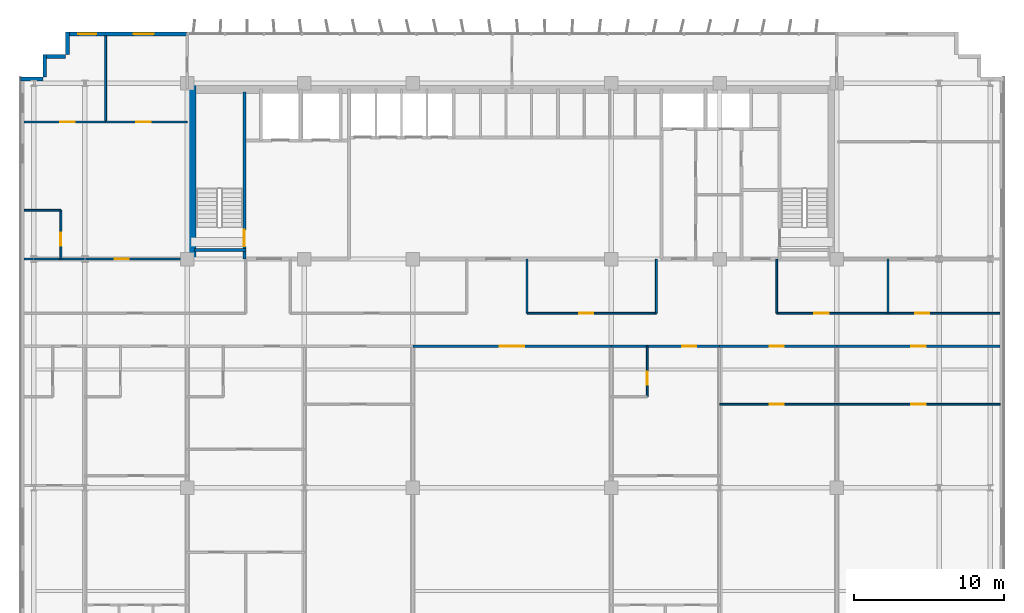
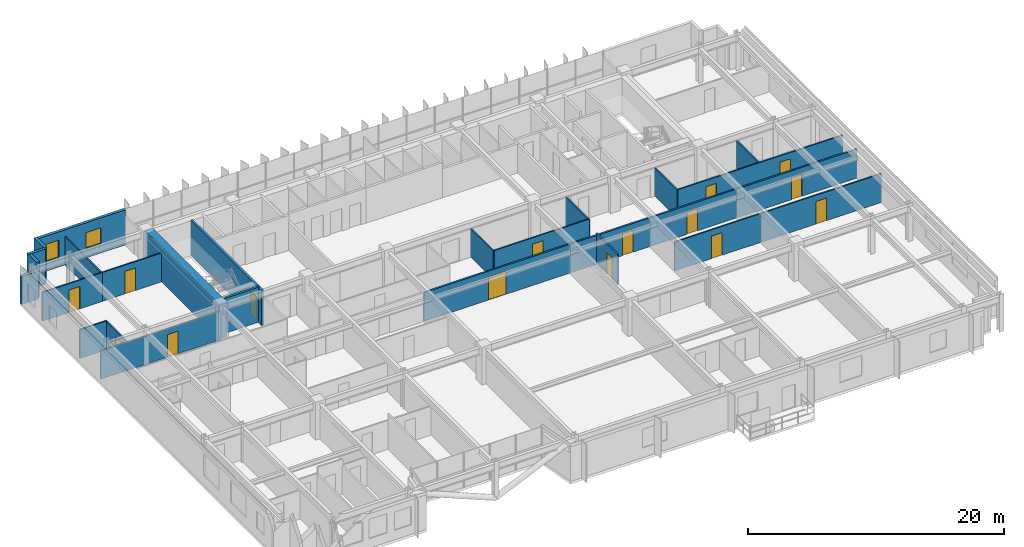
# One storey, part 20 of 25: 27 walls, 15 doors, 2 windows, 17 openings.
"""IFC4 building model written with IfcOpenShell, lengths in metres."""

from ifc_helpers import new_model, si_unit, direction, frame, frame_2d, origin, place, context, subcontext, project, spatial, rectangle, extrude, source, transform, mapped, material, layer, layer_set, type_object, element, fill, save


model = new_model("IFC4")

# Units and contexts
model_context = context("Model", 3, precision=1e-05, world=origin(), true_north=direction((0.0, 1.0)))
body_context = subcontext(model_context, "Body", "Model", "MODEL_VIEW")
ifc_project = project(units=[si_unit("LENGTHUNIT", "METRE"), si_unit("AREAUNIT", "SQUARE_METRE"), si_unit("VOLUMEUNIT", "CUBIC_METRE"), si_unit("PLANEANGLEUNIT", "RADIAN"), si_unit("MASSUNIT", "GRAM", prefix="KILO")], contexts=[model_context])

# Site, building, storey
site_placement = place(None, origin())
site = spatial("IfcSite", under=ifc_project, at=site_placement, CompositionType="ELEMENT")
building_placement = place(site_placement, origin())
building = spatial("IfcBuilding", under=site, at=building_placement, Name="Trelvane Seafront Commons", CompositionType="ELEMENT")
storey_placement = place(building_placement, frame((0.0, 0.0, 66.699951171875)))
storey = spatial("IfcBuildingStorey", under=building, at=storey_placement, Name="L17", CompositionType="ELEMENT", Elevation=66.699951171875)

# Wall, openings, windows
ifc_material_1 = material(Name="Precast concrete C40/50", Category="concrete")
ifc_layer_1 = layer(ifc_material_1, 0.260009765625, Name="ARCH-WALL-EXT260")
ifc_layer_set_1 = layer_set([ifc_layer_1], Name="Precast concrete C40/50")
wall_type_1 = type_object("IfcWallType", Name="ARCH-WALL-EXT260", PredefinedType="SOLIDWALL", material=ifc_layer_set_1)
wall_1_placement = place(storey_placement, frame((7.60009765625, 48.3701171875, 0.0), z_axis=(0.0, 0.0, 1.0), x_axis=(1.0, 0.0, 0.0)))
wall_1 = element("IfcWall", 1, at=wall_1_placement, inside=storey, type_object=wall_type_1, Name="EW-L17-NW-0301", PredefinedType="SOLIDWALL", context=body_context, shape_type="SweptSolid", body=[
    extrude(rectangle(XDim=8.0, YDim=0.260009765625, at=frame_2d((4.0, 0.0))), origin(), (0.0, 0.0, 1.0), 3.340087890625),
])
opening_1_placement = place(wall_1_placement, frame((0.76806640625, 0.0, 0.89990234375)))
opening_1 = element("IfcOpeningElement", 2, at=opening_1_placement, cuts=wall_1, Name="Opening W05", PredefinedType="OPENING", context=body_context, shape_type="SweptSolid", body=[
    extrude(rectangle(XDim=1.199951171875, YDim=1.64990234375, at=frame_2d((0.60009765625, 0.824951171875))), frame((0.0, 0.139892578125, 0.0), z_axis=(0.0, -1.0, 0.0), x_axis=(1.0, 0.0, 0.0)), (0.0, 0.0, 1.0), 0.280029296875),
])
opening_2_placement = place(wall_1_placement, frame((4.44091796875, 0.0, 0.89990234375)))
opening_2 = element("IfcOpeningElement", 3, at=opening_2_placement, cuts=wall_1, Name="Opening W09", PredefinedType="OPENING", context=body_context, shape_type="SweptSolid", body=[
    extrude(rectangle(XDim=1.35009765625, YDim=1.5, at=frame_2d((0.675048828125, 0.75))), frame((0.0, 0.139892578125, 0.0), z_axis=(0.0, -1.0, 0.0), x_axis=(1.0, 0.0, 0.0)), (0.0, 0.0, 1.0), 0.280029296875),
])
ifc_material_2 = material(Name="Low-E coastal double glazing", Category="glass")
window_type_1 = type_object("IfcWindowType", Name="ARCH-WIN-W09", PartitioningType="SINGLE_PANEL", PredefinedType="WINDOW", material=ifc_material_2)
shared_shape_1 = source(origin(), body_context, "Body", "SweptSolid", [
    extrude(rectangle(XDim=1.35009765625, YDim=1.5, at=frame_2d((0.675048828125, 0.75))), frame((0.0, 0.030029296875, 0.0), z_axis=(0.0, -1.0, 0.0), x_axis=(1.0, 0.0, 0.0)), (0.0, 0.0, 1.0), 0.06005859375),
])
window_1_placement = place(opening_2_placement, origin())
window_1 = element("IfcWindow", 4, at=window_1_placement, inside=storey, type_object=window_type_1, Name="WIN-L17-00356", OverallHeight=1.5, OverallWidth=1.35009765625, PartitioningType="SINGLE_PANEL", PredefinedType="WINDOW", context=body_context, shape_type="MappedRepresentation", body=[
    mapped(shared_shape_1, transform((0.0, 0.0, 0.0), x_axis=(1.0, 0.0, 0.0), y_axis=(0.0, 1.0, 0.0), z_axis=(0.0, 0.0, 1.0), scale=1.0)),
])
fill(opening_2, window_1)
window_type_2 = type_object("IfcWindowType", Name="ARCH-WIN-W05", PartitioningType="SINGLE_PANEL", PredefinedType="WINDOW", material=ifc_material_2)
shared_shape_2 = source(origin(), body_context, "Body", "SweptSolid", [
    extrude(rectangle(XDim=1.199951171875, YDim=1.64990234375, at=frame_2d((0.60009765625, 0.824951171875))), frame((0.0, 0.030029296875, 0.0), z_axis=(0.0, -1.0, 0.0), x_axis=(1.0, 0.0, 0.0)), (0.0, 0.0, 1.0), 0.06005859375),
])
window_2_placement = place(opening_1_placement, origin())
window_2 = element("IfcWindow", 5, at=window_2_placement, inside=storey, type_object=window_type_2, Name="WIN-L17-00355", OverallHeight=1.64990234375, OverallWidth=1.199951171875, PartitioningType="SINGLE_PANEL", PredefinedType="WINDOW", context=body_context, shape_type="MappedRepresentation", body=[
    mapped(shared_shape_2, transform((0.0, 0.0, 0.0), x_axis=(1.0, 0.0, 0.0), y_axis=(0.0, 1.0, 0.0), z_axis=(0.0, 0.0, 1.0), scale=1.0)),
])
fill(opening_1, window_2)

# Walls
wall_2_placement = place(storey_placement, frame((4.5, 45.3701171875, 0.0), z_axis=(0.0, 0.0, 1.0), x_axis=(1.0, 0.0, 0.0)))
element("IfcWall", 6, at=wall_2_placement, inside=storey, type_object=wall_type_1, Name="EW-L17-00307", PredefinedType="SOLIDWALL", context=body_context, shape_type="SweptSolid", body=[
    extrude(rectangle(XDim=1.5, YDim=0.260009765625, at=frame_2d((0.75, 0.0))), origin(), (0.0, 0.0, 1.0), 2.68994140625),
])
for number, where, z_axis, x_axis, name in (
    (7, (6.1298828125, 45.5, 0.0), (0.0, 0.0, 1.0), (0.0, 1.0, 0.0), "EW-L17-00308"),
    (8, (6.0, 46.8701171875, 0.0), (0.0, 0.0, 1.0), (1.0, 0.0, 0.0), "EW-L17-00309"),
    (9, (7.6298828125, 47.0, 0.0), (0.0, 0.0, 1.0), (0.0, 1.0, 0.0), "EW-L17-00310"),
):
    element("IfcWall", number, at=place(storey_placement, frame(where, z_axis=z_axis, x_axis=x_axis)), inside=storey, type_object=wall_type_1, Name=name, PredefinedType="SOLIDWALL", context=body_context, shape_type="SweptSolid", body=[
        extrude(rectangle(XDim=1.5, YDim=0.260009765625, at=frame_2d((0.75, 0.0))), origin(), (0.0, 0.0, 1.0), 3.340087890625),
    ])

# Wall, opening, door
ifc_material_3 = material(Name="Gypsum Drywall Acoustic Partition")
ifc_layer_2 = layer(ifc_material_3, 0.1201171875, Name="ARCH-WALL-PART120")
ifc_layer_set_2 = layer_set([ifc_layer_2], Name="Gypsum Drywall Acoustic Partition")
wall_type_2 = type_object("IfcWallType", Name="ARCH-WALL-PART120", PredefinedType="PARTITIONING", material=ifc_layer_set_2)
wall_3_placement = place(storey_placement, frame((38.199951171875, 29.800048828125, 0.0), z_axis=(0.0, 0.0, 1.0), x_axis=(1.0, 0.0, 0.0)))
wall_3 = element("IfcWall", 10, at=wall_3_placement, inside=storey, type_object=wall_type_2, Name="W-L17-CORR-N-M2-040", PredefinedType="PARTITIONING", context=body_context, shape_type="SweptSolid", body=[
    extrude(rectangle(XDim=8.60009765625, YDim=0.1201171875, at=frame_2d((4.300048828125, 0.0))), origin(), (0.0, 0.0, 1.0), 2.751953125),
])
opening_3_placement = place(wall_3_placement, frame((3.4619140625, 0.0, 0.0)))
opening_3 = element("IfcOpeningElement", 11, at=opening_3_placement, cuts=wall_3, Name="Opening D-L17-20", PredefinedType="OPENING", context=body_context, shape_type="SweptSolid", body=[
    extrude(rectangle(XDim=0.949951171875, YDim=2.14990234375, at=frame_2d((0.47509765625, 1.074951171875))), frame((0.0, 0.070068359375, 0.0), z_axis=(0.0, -1.0, 0.0), x_axis=(1.0, 0.0, 0.0)), (0.0, 0.0, 1.0), 0.14013671875),
])
ifc_material_4 = material(Name="Acoustic timber door leaf", Category="wood")
door_type_1 = type_object("IfcDoorType", Name="ARCH-DR-INT950", OperationType="NOTDEFINED", PredefinedType="DOOR", material=ifc_material_4)
shared_shape_3 = source(origin(), body_context, "Body", "SweptSolid", [
    extrude(rectangle(XDim=0.949951171875, YDim=2.14990234375, at=frame_2d((0.47509765625, 1.074951171875))), frame((0.0, 0.02490234375, 0.0), z_axis=(0.0, -1.0, 0.0), x_axis=(1.0, 0.0, 0.0)), (0.0, 0.0, 1.0), 0.050048828125),
])
door_1_placement = place(opening_3_placement, origin())
door_1 = element("IfcDoor", 12, at=door_1_placement, inside=storey, type_object=door_type_1, Name="L17 Door 20", OperationType="SINGLE_SWING_RIGHT", OverallHeight=2.14990234375, OverallWidth=0.949951171875, PredefinedType="DOOR", context=body_context, shape_type="MappedRepresentation", body=[
    mapped(shared_shape_3, transform((0.0, 0.0, 0.0), x_axis=(1.0, 0.0, 0.0), y_axis=(0.0, 1.0, 0.0), z_axis=(0.0, 0.0, 1.0), scale=1.0)),
])
fill(opening_3, door_1)

# Wall, openings, doors
wall_4_placement = place(storey_placement, frame((54.800048828125, 29.800048828125, 0.0), z_axis=(0.0, 0.0, 1.0), x_axis=(1.0, 0.0, 0.0)))
wall_4 = element("IfcWall", 13, at=wall_4_placement, inside=storey, type_object=wall_type_2, Name="W-L17-CORR-N-E-041", PredefinedType="PARTITIONING", context=body_context, shape_type="SweptSolid", body=[
    extrude(rectangle(XDim=14.849853515625, YDim=0.1201171875, at=frame_2d((7.4248046875, 0.0))), origin(), (0.0, 0.0, 1.0), 2.751953125),
])
opening_4_placement = place(wall_4_placement, frame((2.5, 0.0, 0.0)))
opening_4 = element("IfcOpeningElement", 14, at=opening_4_placement, cuts=wall_4, Name="Opening D-L17-21", PredefinedType="OPENING", context=body_context, shape_type="SweptSolid", body=[
    extrude(rectangle(XDim=0.949951171875, YDim=2.14990234375, at=frame_2d((0.47509765625, 1.074951171875))), frame((0.0, 0.070068359375, 0.0), z_axis=(0.0, -1.0, 0.0), x_axis=(1.0, 0.0, 0.0)), (0.0, 0.0, 1.0), 0.14013671875),
])
opening_5_placement = place(wall_4_placement, frame((9.199951171875, 0.0, 0.0)))
opening_5 = element("IfcOpeningElement", 15, at=opening_5_placement, cuts=wall_4, Name="Opening D-L17-22", PredefinedType="OPENING", context=body_context, shape_type="SweptSolid", body=[
    extrude(rectangle(XDim=0.949951171875, YDim=2.14990234375, at=frame_2d((0.47509765625, 1.074951171875))), frame((0.0, 0.070068359375, 0.0), z_axis=(0.0, -1.0, 0.0), x_axis=(1.0, 0.0, 0.0)), (0.0, 0.0, 1.0), 0.14013671875),
])
door_2_placement = place(opening_4_placement, origin())
door_2 = element("IfcDoor", 16, at=door_2_placement, inside=storey, type_object=door_type_1, Name="L17 Door 21", OperationType="SINGLE_SWING_LEFT", OverallHeight=2.14990234375, OverallWidth=0.949951171875, PredefinedType="DOOR", context=body_context, shape_type="MappedRepresentation", body=[
    mapped(shared_shape_3, transform((0.0, 0.0, 0.0), x_axis=(1.0, 0.0, 0.0), y_axis=(0.0, 1.0, 0.0), z_axis=(0.0, 0.0, 1.0), scale=1.0)),
])
fill(opening_4, door_2)
door_3_placement = place(opening_5_placement, origin())
door_3 = element("IfcDoor", 17, at=door_3_placement, inside=storey, type_object=door_type_1, Name="L17 Door 22", OperationType="SINGLE_SWING_RIGHT", OverallHeight=2.14990234375, OverallWidth=0.949951171875, PredefinedType="DOOR", context=body_context, shape_type="MappedRepresentation", body=[
    mapped(shared_shape_3, transform((0.0, 0.0, 0.0), x_axis=(1.0, 0.0, 0.0), y_axis=(0.0, 1.0, 0.0), z_axis=(0.0, 0.0, 1.0), scale=1.0)),
])
fill(opening_5, door_3)

# Walls
for number, where, z_axis, x_axis, name in (
    (18, (62.199951171875, 29.800048828125, 0.0), (0.0, 0.0, 1.0), (0.0, 1.0, 0.0), "W-L17-N-LAUN-DV-042"),
    (19, (38.199951171875, 29.800048828125, 0.0), (0.0, 0.0, 1.0), (0.0, 1.0, 0.0), "W-L17-N-SPUR-M2-046"),
    (20, (46.800048828125, 29.800048828125, 0.0), (0.0, 0.0, 1.0), (0.0, 1.0, 0.0), "W-L17-N-SPUR-E1-047"),
    (21, (54.800048828125, 29.800048828125, 0.0), (0.0, 0.0, 1.0), (0.0, 1.0, 0.0), "W-L17-N-SPUR-E2-048"),
):
    element("IfcWall", number, at=place(storey_placement, frame(where, z_axis=z_axis, x_axis=x_axis)), inside=storey, type_object=wall_type_2, Name=name, PredefinedType="PARTITIONING", context=body_context, shape_type="SweptSolid", body=[
        extrude(rectangle(XDim=3.599853515625, YDim=0.1201171875, at=frame_2d((1.7998046875, 0.0))), origin(), (0.0, 0.0, 1.0), 2.68994140625),
    ])

# Wall, opening, door
wall_5_placement = place(storey_placement, frame((7.199951171875, 33.39990234375, 0.0), z_axis=(0.0, 0.0, 1.0), x_axis=(0.0, 1.0, 0.0)))
wall_5 = element("IfcWall", 22, at=wall_5_placement, inside=storey, type_object=wall_type_2, Name="W-L17-NW-BE-049", PredefinedType="PARTITIONING", context=body_context, shape_type="SweptSolid", body=[
    extrude(rectangle(XDim=3.25, YDim=0.1201171875, at=frame_2d((1.625, 0.0))), origin(), (0.0, 0.0, 1.0), 2.68994140625),
])
opening_6_placement = place(wall_5_placement, frame((0.89990234375, 0.0, 0.0)))
opening_6 = element("IfcOpeningElement", 23, at=opening_6_placement, cuts=wall_5, Name="Opening D-L17-23", PredefinedType="OPENING", context=body_context, shape_type="SweptSolid", body=[
    extrude(rectangle(XDim=0.85009765625, YDim=2.10009765625, at=frame_2d((0.425048828125, 1.050048828125))), frame((0.0, 0.070068359375, 0.0), z_axis=(0.0, -1.0, 0.0), x_axis=(1.0, 0.0, 0.0)), (0.0, 0.0, 1.0), 0.14013671875),
])
door_type_2 = type_object("IfcDoorType", Name="ARCH-DR-INT850", OperationType="NOTDEFINED", PredefinedType="DOOR", material=ifc_material_4)
shared_shape_4 = source(origin(), body_context, "Body", "SweptSolid", [
    extrude(rectangle(XDim=0.85009765625, YDim=2.10009765625, at=frame_2d((0.425048828125, 1.050048828125))), frame((0.0, 0.02490234375, 0.0), z_axis=(0.0, -1.0, 0.0), x_axis=(1.0, 0.0, 0.0)), (0.0, 0.0, 1.0), 0.050048828125),
])
door_4_placement = place(opening_6_placement, origin())
door_4 = element("IfcDoor", 24, at=door_4_placement, inside=storey, type_object=door_type_2, Name="L17 Door 23", OperationType="SINGLE_SWING_LEFT", OverallHeight=2.10009765625, OverallWidth=0.85009765625, PredefinedType="DOOR", context=body_context, shape_type="MappedRepresentation", body=[
    mapped(shared_shape_4, transform((0.0, 0.0, 0.0), x_axis=(1.0, 0.0, 0.0), y_axis=(0.0, 1.0, 0.0), z_axis=(0.0, 0.0, 1.0), scale=1.0)),
])
fill(opening_6, door_4)

# Wall
wall_6_placement = place(storey_placement, frame((4.75, 36.64990234375, 0.0), z_axis=(0.0, 0.0, 1.0), x_axis=(1.0, 0.0, 0.0)))
element("IfcWall", 25, at=wall_6_placement, inside=storey, type_object=wall_type_2, Name="W-L17-NW-BN-050", PredefinedType="PARTITIONING", context=body_context, shape_type="SweptSolid", body=[
    extrude(rectangle(XDim=2.449951171875, YDim=0.1201171875, at=frame_2d((1.22509765625, 0.0))), origin(), (0.0, 0.0, 1.0), 2.751953125),
])

# Wall, opening, door
wall_7_placement = place(storey_placement, frame((4.75, 42.52001953125, 0.0), z_axis=(0.0, 0.0, 1.0), x_axis=(1.0, 0.0, 0.0)))
wall_7 = element("IfcWall", 26, at=wall_7_placement, inside=storey, type_object=wall_type_2, Name="W-L17-NW-KB1-051", PredefinedType="PARTITIONING", context=body_context, shape_type="SweptSolid", body=[
    extrude(rectangle(XDim=5.425048828125, YDim=0.1201171875, at=frame_2d((2.71240234375, 0.0))), origin(), (0.0, 0.0, 1.0), 2.751953125),
])
opening_7_placement = place(wall_7_placement, frame((2.423095703125, 0.0, 0.0)))
opening_7 = element("IfcOpeningElement", 27, at=opening_7_placement, cuts=wall_7, Name="Opening D-L17-24", PredefinedType="OPENING", context=body_context, shape_type="SweptSolid", body=[
    extrude(rectangle(XDim=0.949951171875, YDim=2.14990234375, at=frame_2d((0.47509765625, 1.074951171875))), frame((0.0, 0.070068359375, 0.0), z_axis=(0.0, -1.0, 0.0), x_axis=(1.0, 0.0, 0.0)), (0.0, 0.0, 1.0), 0.14013671875),
])
door_5_placement = place(opening_7_placement, origin())
door_5 = element("IfcDoor", 28, at=door_5_placement, inside=storey, type_object=door_type_1, Name="L17 Door 24", OperationType="SINGLE_SWING_RIGHT", OverallHeight=2.14990234375, OverallWidth=0.949951171875, PredefinedType="DOOR", context=body_context, shape_type="MappedRepresentation", body=[
    mapped(shared_shape_3, transform((0.0, 0.0, 0.0), x_axis=(1.0, 0.0, 0.0), y_axis=(0.0, 1.0, 0.0), z_axis=(0.0, 0.0, 1.0), scale=1.0)),
])
fill(opening_7, door_5)

wall_8_placement = place(storey_placement, frame((10.175048828125, 42.52001953125, 0.0), z_axis=(0.0, 0.0, 1.0), x_axis=(1.0, 0.0, 0.0)))
wall_8 = element("IfcWall", 29, at=wall_8_placement, inside=storey, type_object=wall_type_2, Name="W-L17-NW-KB2-052", PredefinedType="PARTITIONING", context=body_context, shape_type="SweptSolid", body=[
    extrude(rectangle(XDim=5.425048828125, YDim=0.1201171875, at=frame_2d((2.71240234375, 0.0))), origin(), (0.0, 0.0, 1.0), 2.751953125),
])
opening_8_placement = place(wall_8_placement, frame((2.052001953125, 0.0, 0.0)))
opening_8 = element("IfcOpeningElement", 30, at=opening_8_placement, cuts=wall_8, Name="Opening D-L17-25", PredefinedType="OPENING", context=body_context, shape_type="SweptSolid", body=[
    extrude(rectangle(XDim=0.949951171875, YDim=2.14990234375, at=frame_2d((0.47509765625, 1.074951171875))), frame((0.0, 0.070068359375, 0.0), z_axis=(0.0, -1.0, 0.0), x_axis=(1.0, 0.0, 0.0)), (0.0, 0.0, 1.0), 0.14013671875),
])
door_6_placement = place(opening_8_placement, origin())
door_6 = element("IfcDoor", 31, at=door_6_placement, inside=storey, type_object=door_type_1, Name="L17 Door 25", OperationType="SINGLE_SWING_LEFT", OverallHeight=2.14990234375, OverallWidth=0.949951171875, PredefinedType="DOOR", context=body_context, shape_type="MappedRepresentation", body=[
    mapped(shared_shape_3, transform((0.0, 0.0, 0.0), x_axis=(1.0, 0.0, 0.0), y_axis=(0.0, 1.0, 0.0), z_axis=(0.0, 0.0, 1.0), scale=1.0)),
])
fill(opening_8, door_6)

# Wall
wall_9_placement = place(storey_placement, frame((10.175048828125, 42.52001953125, 0.0), z_axis=(0.0, 0.0, 1.0), x_axis=(0.0, 1.0, 0.0)))
element("IfcWall", 32, at=wall_9_placement, inside=storey, type_object=wall_type_2, Name="W-L17-NW-KBDV-053", PredefinedType="PARTITIONING", context=body_context, shape_type="SweptSolid", body=[
    extrude(rectangle(XDim=5.719970703125, YDim=0.1201171875, at=frame_2d((2.85986328125, 0.0))), origin(), (0.0, 0.0, 1.0), 2.68994140625),
])

# Wall, opening, door
wall_10_placement = place(storey_placement, frame((46.199951171875, 24.25, 0.0), z_axis=(0.0, 0.0, 1.0), x_axis=(0.0, 1.0, 0.0)))
wall_10 = element("IfcWall", 33, at=wall_10_placement, inside=storey, type_object=wall_type_2, Name="W-L17-U6-BE-092", PredefinedType="PARTITIONING", context=body_context, shape_type="SweptSolid", body=[
    extrude(rectangle(XDim=3.35009765625, YDim=0.1201171875, at=frame_2d((1.675048828125, 0.0))), origin(), (0.0, 0.0, 1.0), 2.93994140625),
])
opening_9_placement = place(wall_10_placement, frame((0.800048828125, 0.0, 0.0)))
opening_9 = element("IfcOpeningElement", 34, at=opening_9_placement, cuts=wall_10, Name="Opening D-L17-51", PredefinedType="OPENING", context=body_context, shape_type="SweptSolid", body=[
    extrude(rectangle(XDim=0.85009765625, YDim=2.10009765625, at=frame_2d((0.425048828125, 1.050048828125))), frame((0.0, 0.070068359375, 0.0), z_axis=(0.0, -1.0, 0.0), x_axis=(1.0, 0.0, 0.0)), (0.0, 0.0, 1.0), 0.14013671875),
])
door_7_placement = place(opening_9_placement, origin())
door_7 = element("IfcDoor", 35, at=door_7_placement, inside=storey, type_object=door_type_2, Name="L17 Door 51", OperationType="SINGLE_SWING_LEFT", OverallHeight=2.10009765625, OverallWidth=0.85009765625, PredefinedType="DOOR", context=body_context, shape_type="MappedRepresentation", body=[
    mapped(shared_shape_4, transform((0.0, 0.0, 0.0), x_axis=(1.0, 0.0, 0.0), y_axis=(0.0, 1.0, 0.0), z_axis=(0.0, 0.0, 1.0), scale=1.0)),
])
fill(opening_9, door_7)

wall_11_placement = place(storey_placement, frame((51.0, 23.75, 0.0), z_axis=(0.0, 0.0, 1.0), x_axis=(1.0, 0.0, 0.0)))
wall_11 = element("IfcWall", 36, at=wall_11_placement, inside=storey, type_object=wall_type_2, Name="W-L17-U7-DIV-099", PredefinedType="PARTITIONING", context=body_context, shape_type="SweptSolid", body=[
    extrude(rectangle(XDim=7.800048828125, YDim=0.1201171875, at=frame_2d((3.89990234375, 0.0))), origin(), (0.0, 0.0, 1.0), 2.751953125),
])
opening_10_placement = place(wall_11_placement, frame((3.3330078125, 0.0, 0.0)))
opening_10 = element("IfcOpeningElement", 37, at=opening_10_placement, cuts=wall_11, Name="Opening D-L17-56", PredefinedType="OPENING", context=body_context, shape_type="SweptSolid", body=[
    extrude(rectangle(XDim=0.949951171875, YDim=2.14990234375, at=frame_2d((0.47509765625, 1.074951171875))), frame((0.0, 0.070068359375, 0.0), z_axis=(0.0, -1.0, 0.0), x_axis=(1.0, 0.0, 0.0)), (0.0, 0.0, 1.0), 0.14013671875),
])
door_8_placement = place(opening_10_placement, origin())
door_8 = element("IfcDoor", 38, at=door_8_placement, inside=storey, type_object=door_type_1, Name="L17 Door 56", OperationType="SINGLE_SWING_RIGHT", OverallHeight=2.14990234375, OverallWidth=0.949951171875, PredefinedType="DOOR", context=body_context, shape_type="MappedRepresentation", body=[
    mapped(shared_shape_3, transform((0.0, 0.0, 0.0), x_axis=(1.0, 0.0, 0.0), y_axis=(0.0, 1.0, 0.0), z_axis=(0.0, 0.0, 1.0), scale=1.0)),
])
fill(opening_10, door_8)

wall_12_placement = place(storey_placement, frame((58.800048828125, 23.75, 0.0), z_axis=(0.0, 0.0, 1.0), x_axis=(1.0, 0.0, 0.0)))
wall_12 = element("IfcWall", 39, at=wall_12_placement, inside=storey, type_object=wall_type_2, Name="W-L17-U8-DIV-101", PredefinedType="PARTITIONING", context=body_context, shape_type="SweptSolid", body=[
    extrude(rectangle(XDim=10.85498046875, YDim=0.1201171875, at=frame_2d((5.427490234375, 0.0))), origin(), (0.0, 0.0, 1.0), 2.751953125),
])
opening_11_placement = place(wall_12_placement, frame((4.952880859375, 0.0, 0.0)))
opening_11 = element("IfcOpeningElement", 40, at=opening_11_placement, cuts=wall_12, Name="Opening D-L17-58", PredefinedType="OPENING", context=body_context, shape_type="SweptSolid", body=[
    extrude(rectangle(XDim=0.949951171875, YDim=2.14990234375, at=frame_2d((0.47509765625, 1.074951171875))), frame((0.0, 0.070068359375, 0.0), z_axis=(0.0, -1.0, 0.0), x_axis=(1.0, 0.0, 0.0)), (0.0, 0.0, 1.0), 0.14013671875),
])
door_9_placement = place(opening_11_placement, origin())
door_9 = element("IfcDoor", 41, at=door_9_placement, inside=storey, type_object=door_type_1, Name="L17 Door 58", OperationType="SINGLE_SWING_RIGHT", OverallHeight=2.14990234375, OverallWidth=0.949951171875, PredefinedType="DOOR", context=body_context, shape_type="MappedRepresentation", body=[
    mapped(shared_shape_3, transform((0.0, 0.0, 0.0), x_axis=(1.0, 0.0, 0.0), y_axis=(0.0, 1.0, 0.0), z_axis=(0.0, 0.0, 1.0), scale=1.0)),
])
fill(opening_11, door_9)

ifc_layer_3 = layer(ifc_material_3, 0.14990234375, Name="ARCH-WALL-PART150")
ifc_layer_set_3 = layer_set([ifc_layer_3], Name="Gypsum Drywall Acoustic Partition")
wall_type_3 = type_object("IfcWallType", Name="ARCH-WALL-PART150", PredefinedType="PARTITIONING", material=ifc_layer_set_3)
wall_13_placement = place(storey_placement, frame((4.75, 33.39990234375, 0.0), z_axis=(0.0, 0.0, 1.0), x_axis=(1.0, 0.0, 0.0)))
wall_13 = element("IfcWall", 42, at=wall_13_placement, inside=storey, type_object=wall_type_3, Name="W-L17-NW-ENT-054", PredefinedType="PARTITIONING", context=body_context, shape_type="SweptSolid", body=[
    extrude(rectangle(XDim=10.85009765625, YDim=0.14990234375, at=frame_2d((5.425048828125, 0.0))), origin(), (0.0, 0.0, 1.0), 2.68994140625),
])
opening_12_placement = place(wall_13_placement, frame((6.02490234375, 0.0, 0.0)))
opening_12 = element("IfcOpeningElement", 43, at=opening_12_placement, cuts=wall_13, Name="Opening FD-L17-26", PredefinedType="OPENING", context=body_context, shape_type="SweptSolid", body=[
    extrude(rectangle(XDim=0.949951171875, YDim=2.14990234375, at=frame_2d((0.47509765625, 1.074951171875))), frame((0.0, 0.0849609375, 0.0), z_axis=(0.0, -1.0, 0.0), x_axis=(1.0, 0.0, 0.0)), (0.0, 0.0, 1.0), 0.169921875),
])
ifc_material_5 = material(Name="Powder-coated aluminium frame", Category="aluminium")
door_type_3 = type_object("IfcDoorType", Name="ARCH-DR-FD60-950", OperationType="NOTDEFINED", PredefinedType="DOOR", material=ifc_material_5)
door_10_placement = place(opening_12_placement, origin())
door_10 = element("IfcDoor", 44, at=door_10_placement, inside=storey, type_object=door_type_3, Name="L17 NW Flat Entrance Door", OperationType="SINGLE_SWING_RIGHT", OverallHeight=2.14990234375, OverallWidth=0.949951171875, PredefinedType="DOOR", context=body_context, shape_type="MappedRepresentation", body=[
    mapped(shared_shape_3, transform((0.0, 0.0, 0.0), x_axis=(1.0, 0.0, 0.0), y_axis=(0.0, 1.0, 0.0), z_axis=(0.0, 0.0, 1.0), scale=1.0)),
])
fill(opening_12, door_10)

wall_14_placement = place(storey_placement, frame((30.60009765625, 27.60009765625, 0.0), z_axis=(0.0, 0.0, 1.0), x_axis=(1.0, 0.0, 0.0)))
wall_14 = element("IfcWall", 45, at=wall_14_placement, inside=storey, type_object=wall_type_3, Name="W-L17-CS-BAY-5-090", PredefinedType="PARTITIONING", context=body_context, shape_type="SweptSolid", body=[
    extrude(rectangle(XDim=13.199951171875, YDim=0.14990234375, at=frame_2d((6.60009765625, 0.0))), origin(), (0.0, 0.0, 1.0), 2.751953125),
])
opening_13_placement = place(wall_14_placement, frame((5.800048828125, 0.0, 0.0)))
opening_13 = element("IfcOpeningElement", 46, at=opening_13_placement, cuts=wall_14, Name="Opening D-L17-49", PredefinedType="OPENING", context=body_context, shape_type="SweptSolid", body=[
    extrude(rectangle(XDim=1.60009765625, YDim=2.199951171875, at=frame_2d((0.800048828125, 1.10009765625))), frame((0.0, 0.0849609375, 0.0), z_axis=(0.0, -1.0, 0.0), x_axis=(1.0, 0.0, 0.0)), (0.0, 0.0, 1.0), 0.169921875),
])
door_type_4 = type_object("IfcDoorType", Name="ARCH-DR-GLZ1600", OperationType="DOUBLE_DOOR_SINGLE_SWING", PredefinedType="DOOR", material=ifc_material_4)
shared_shape_5 = source(origin(), body_context, "Body", "SweptSolid", [
    extrude(rectangle(XDim=1.60009765625, YDim=2.199951171875, at=frame_2d((0.800048828125, 1.10009765625))), frame((0.0, 0.02490234375, 0.0), z_axis=(0.0, -1.0, 0.0), x_axis=(1.0, 0.0, 0.0)), (0.0, 0.0, 1.0), 0.050048828125),
])
door_11_placement = place(opening_13_placement, origin())
door_11 = element("IfcDoor", 47, at=door_11_placement, inside=storey, type_object=door_type_4, Name="L17 Commons Lounge 05 Door", OperationType="DOUBLE_DOOR_SINGLE_SWING", OverallHeight=2.199951171875, OverallWidth=1.60009765625, PredefinedType="DOOR", context=body_context, shape_type="MappedRepresentation", body=[
    mapped(shared_shape_5, transform((0.0, 0.0, 0.0), x_axis=(1.0, 0.0, 0.0), y_axis=(0.0, 1.0, 0.0), z_axis=(0.0, 0.0, 1.0), scale=1.0)),
])
fill(opening_13, door_11)

wall_15_placement = place(storey_placement, frame((43.800048828125, 27.60009765625, 0.0), z_axis=(0.0, 0.0, 1.0), x_axis=(1.0, 0.0, 0.0)))
wall_15 = element("IfcWall", 48, at=wall_15_placement, inside=storey, type_object=wall_type_3, Name="W-L17-CS-BAY-6-094", PredefinedType="PARTITIONING", context=body_context, shape_type="SweptSolid", body=[
    extrude(rectangle(XDim=7.199951171875, YDim=0.14990234375, at=frame_2d((3.60009765625, 0.0))), origin(), (0.0, 0.0, 1.0), 2.751953125),
])
opening_14_placement = place(wall_15_placement, frame((4.7060546875, 0.0, 0.0)))
opening_14 = element("IfcOpeningElement", 49, at=opening_14_placement, cuts=wall_15, Name="Opening FD-L17-52", PredefinedType="OPENING", context=body_context, shape_type="SweptSolid", body=[
    extrude(rectangle(XDim=0.949951171875, YDim=2.14990234375, at=frame_2d((0.47509765625, 1.074951171875))), frame((0.0, 0.0849609375, 0.0), z_axis=(0.0, -1.0, 0.0), x_axis=(1.0, 0.0, 0.0)), (0.0, 0.0, 1.0), 0.169921875),
])
door_12_placement = place(opening_14_placement, origin())
door_12 = element("IfcDoor", 50, at=door_12_placement, inside=storey, type_object=door_type_3, Name="L17 Unit 06 Entrance Door", OperationType="SINGLE_SWING_RIGHT", OverallHeight=2.14990234375, OverallWidth=0.949951171875, PredefinedType="DOOR", context=body_context, shape_type="MappedRepresentation", body=[
    mapped(shared_shape_3, transform((0.0, 0.0, 0.0), x_axis=(1.0, 0.0, 0.0), y_axis=(0.0, 1.0, 0.0), z_axis=(0.0, 0.0, 1.0), scale=1.0)),
])
fill(opening_14, door_12)

wall_16_placement = place(storey_placement, frame((51.0, 27.60009765625, 0.0), z_axis=(0.0, 0.0, 1.0), x_axis=(1.0, 0.0, 0.0)))
wall_16 = element("IfcWall", 51, at=wall_16_placement, inside=storey, type_object=wall_type_3, Name="W-L17-CS-BAY-7-098", PredefinedType="PARTITIONING", context=body_context, shape_type="SweptSolid", body=[
    extrude(rectangle(XDim=7.800048828125, YDim=0.14990234375, at=frame_2d((3.89990234375, 0.0))), origin(), (0.0, 0.0, 1.0), 2.751953125),
])
opening_15_placement = place(wall_16_placement, frame((3.3330078125, 0.0, 0.0)))
opening_15 = element("IfcOpeningElement", 52, at=opening_15_placement, cuts=wall_16, Name="Opening FD-L17-55", PredefinedType="OPENING", context=body_context, shape_type="SweptSolid", body=[
    extrude(rectangle(XDim=0.949951171875, YDim=2.14990234375, at=frame_2d((0.47509765625, 1.074951171875))), frame((0.0, 0.0849609375, 0.0), z_axis=(0.0, -1.0, 0.0), x_axis=(1.0, 0.0, 0.0)), (0.0, 0.0, 1.0), 0.169921875),
])
door_13_placement = place(opening_15_placement, origin())
door_13 = element("IfcDoor", 53, at=door_13_placement, inside=storey, type_object=door_type_3, Name="L17 Bay 07 Entrance Door", OperationType="SINGLE_SWING_LEFT", OverallHeight=2.14990234375, OverallWidth=0.949951171875, PredefinedType="DOOR", context=body_context, shape_type="MappedRepresentation", body=[
    mapped(shared_shape_3, transform((0.0, 0.0, 0.0), x_axis=(1.0, 0.0, 0.0), y_axis=(0.0, 1.0, 0.0), z_axis=(0.0, 0.0, 1.0), scale=1.0)),
])
fill(opening_15, door_13)

wall_17_placement = place(storey_placement, frame((58.800048828125, 27.60009765625, 0.0), z_axis=(0.0, 0.0, 1.0), x_axis=(1.0, 0.0, 0.0)))
wall_17 = element("IfcWall", 54, at=wall_17_placement, inside=storey, type_object=wall_type_3, Name="W-L17-CS-BAY-8-100", PredefinedType="PARTITIONING", context=body_context, shape_type="SweptSolid", body=[
    extrude(rectangle(XDim=10.85498046875, YDim=0.14990234375, at=frame_2d((5.427490234375, 0.0))), origin(), (0.0, 0.0, 1.0), 2.751953125),
])
opening_16_placement = place(wall_17_placement, frame((4.952880859375, 0.0, 0.0)))
opening_16 = element("IfcOpeningElement", 55, at=opening_16_placement, cuts=wall_17, Name="Opening FD-L17-57", PredefinedType="OPENING", context=body_context, shape_type="SweptSolid", body=[
    extrude(rectangle(XDim=0.949951171875, YDim=2.14990234375, at=frame_2d((0.47509765625, 1.074951171875))), frame((0.0, 0.0849609375, 0.0), z_axis=(0.0, -1.0, 0.0), x_axis=(1.0, 0.0, 0.0)), (0.0, 0.0, 1.0), 0.169921875),
])
door_14_placement = place(opening_16_placement, origin())
door_14 = element("IfcDoor", 56, at=door_14_placement, inside=storey, type_object=door_type_3, Name="L17 Bay 08 Entrance Door", OperationType="SINGLE_SWING_LEFT", OverallHeight=2.14990234375, OverallWidth=0.949951171875, PredefinedType="DOOR", context=body_context, shape_type="MappedRepresentation", body=[
    mapped(shared_shape_3, transform((0.0, 0.0, 0.0), x_axis=(1.0, 0.0, 0.0), y_axis=(0.0, 1.0, 0.0), z_axis=(0.0, 0.0, 1.0), scale=1.0)),
])
fill(opening_16, door_14)

# Walls
ifc_material_6 = material(Name="Concrete C60/75", Category="concrete")
ifc_layer_4 = layer(ifc_material_6, 0.699951171875, Name="STR-WALL-CORE700")
ifc_layer_set_4 = layer_set([ifc_layer_4], Name="Concrete C60/75")
wall_type_4 = type_object("IfcWallType", Name="STR-WALL-CORE700", PredefinedType="SHEAR", material=ifc_layer_set_4)
wall_18_placement = place(storey_placement, frame((15.85009765625, 33.39990234375, 0.0), z_axis=(0.0, 0.0, 1.0), x_axis=(0.0, 1.0, 0.0)))
element("IfcWall", 57, at=wall_18_placement, inside=storey, type_object=wall_type_4, Name="W-L17-CW-END-002", PredefinedType="SHEAR", context=body_context, shape_type="SweptSolid", body=[
    extrude(rectangle(XDim=11.7001953125, YDim=0.699951171875, at=frame_2d((5.85009765625, 0.0))), origin(), (0.0, 0.0, 1.0), 3.340087890625),
])
ifc_material_7 = material(Name="Concrete C50/60", Category="concrete")
ifc_layer_5 = layer(ifc_material_7, 0.199951171875, Name="STR-WALL-STAIR200")
ifc_layer_set_5 = layer_set([ifc_layer_5], Name="Concrete C50/60")
wall_type_5 = type_object("IfcWallType", Name="STR-WALL-STAIR200", PredefinedType="SHEAR", material=ifc_layer_set_5)
wall_19_placement = place(storey_placement, frame((16.10009765625, 34.0, 0.0), z_axis=(0.0, 0.0, 1.0), x_axis=(1.0, 0.0, 0.0)))
element("IfcWall", 58, at=wall_19_placement, inside=storey, type_object=wall_type_5, Name="W-L17-ST1-S-004", PredefinedType="SHEAR", context=body_context, shape_type="SweptSolid", body=[
    extrude(rectangle(XDim=3.39990234375, YDim=0.199951171875, at=frame_2d((1.699951171875, 0.0))), origin(), (0.0, 0.0, 1.0), 3.340087890625),
])

# Wall, opening, door
wall_20_placement = place(storey_placement, frame((19.39990234375, 33.39990234375, 0.0), z_axis=(0.0, 0.0, 1.0), x_axis=(0.0, 1.0, 0.0)))
wall_20 = element("IfcWall", 59, at=wall_20_placement, inside=storey, type_object=wall_type_5, Name="W-L17-ST1-E-005", PredefinedType="SHEAR", context=body_context, shape_type="SweptSolid", body=[
    extrude(rectangle(XDim=11.10009765625, YDim=0.199951171875, at=frame_2d((5.550048828125, 0.0))), origin(), (0.0, 0.0, 1.0), 3.340087890625),
])
opening_17_placement = place(wall_20_placement, frame((0.85009765625, 0.0, 0.0)))
opening_17 = element("IfcOpeningElement", 60, at=opening_17_placement, cuts=wall_20, Name="Opening ST-D1-L17", PredefinedType="OPENING", context=body_context, shape_type="SweptSolid", body=[
    extrude(rectangle(XDim=1.10009765625, YDim=2.14990234375, at=frame_2d((0.550048828125, 1.074951171875))), frame((0.0, 0.10986328125, 0.0), z_axis=(0.0, -1.0, 0.0), x_axis=(1.0, 0.0, 0.0)), (0.0, 0.0, 1.0), 0.219970703125),
])
door_type_5 = type_object("IfcDoorType", Name="ARCH-DR-FD90-1100", OperationType="NOTDEFINED", PredefinedType="DOOR", material=ifc_material_5)
shared_shape_6 = source(origin(), body_context, "Body", "SweptSolid", [
    extrude(rectangle(XDim=1.10009765625, YDim=2.14990234375, at=frame_2d((0.550048828125, 1.074951171875))), frame((0.0, 0.02490234375, 0.0), z_axis=(0.0, -1.0, 0.0), x_axis=(1.0, 0.0, 0.0)), (0.0, 0.0, 1.0), 0.050048828125),
])
door_15_placement = place(opening_17_placement, origin())
door_15 = element("IfcDoor", 61, at=door_15_placement, inside=storey, type_object=door_type_5, Name="L17 Stair ST-1 Lobby Fire Door", OperationType="SINGLE_SWING_LEFT", OverallHeight=2.14990234375, OverallWidth=1.10009765625, PredefinedType="DOOR", context=body_context, shape_type="MappedRepresentation", body=[
    mapped(shared_shape_6, transform((0.0, 0.0, 0.0), x_axis=(1.0, 0.0, 0.0), y_axis=(0.0, 1.0, 0.0), z_axis=(0.0, 0.0, 1.0), scale=1.0)),
])
fill(opening_17, door_15)

save(model, "model.ifc")
